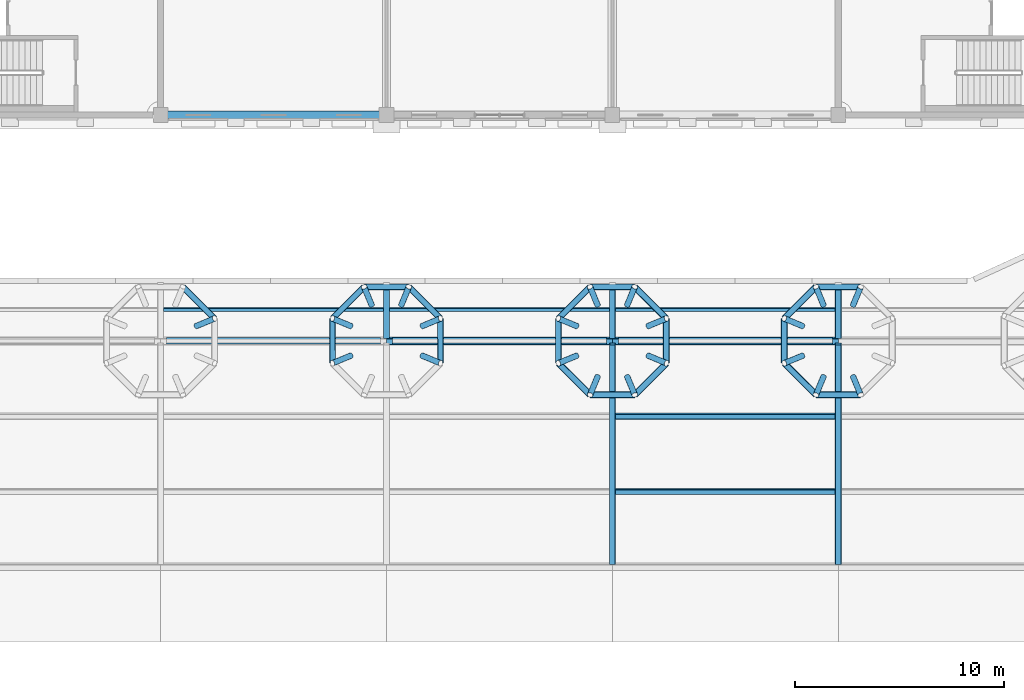
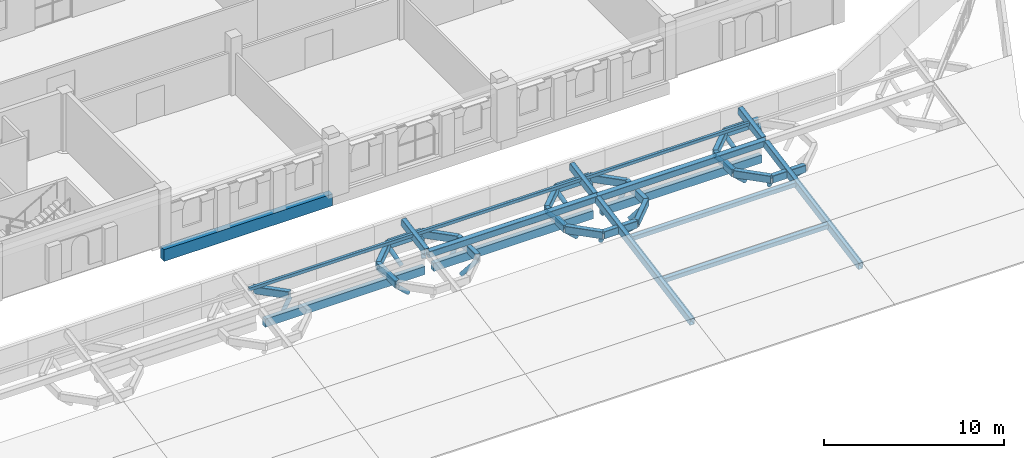
# One storey, part 4 of 32: 35 beams, 21 members.
"""IFC4 building model written with IfcOpenShell, lengths in metres."""

from ifc_helpers import new_model, si_unit, direction, frame, origin, origin_2d, place, context, subcontext, project, spatial, rectangle, hollow_rectangle, hollow_circle, extrude, clip, halfspace, material, material_profile, profile_set, type_object, element, save


model = new_model("IFC4")

# Units and contexts
model_context = context("Model", 3, precision=1e-05, world=origin(), true_north=direction((0.0, 1.0)))
body_context = subcontext(model_context, "Body", "Model", "MODEL_VIEW")
ifc_project = project(units=[si_unit("LENGTHUNIT", "METRE"), si_unit("AREAUNIT", "SQUARE_METRE"), si_unit("VOLUMEUNIT", "CUBIC_METRE"), si_unit("PLANEANGLEUNIT", "RADIAN"), si_unit("MASSUNIT", "GRAM", prefix="KILO")], contexts=[model_context])

# Site, building, storey
site_placement = place(None, origin())
site = spatial("IfcSite", under=ifc_project, at=site_placement, CompositionType="ELEMENT")
building_placement = place(site_placement, origin())
building = spatial("IfcBuilding", under=site, at=building_placement, Name="Magnolia Steps Interchange", CompositionType="ELEMENT")
storey_placement = place(building_placement, frame((0.0, 0.0, 16.5)))
storey = spatial("IfcBuildingStorey", under=building, at=storey_placement, Name="L04", CompositionType="ELEMENT", Elevation=16.5)

# Beams
ifc_material_1 = material(Name="Concrete C40", Category="concrete")
ifc_material_profile_1 = material_profile(ifc_material_1, rectangle(XDim=0.300048828125, YDim=0.550048828125, at=origin_2d()), Name="RC300x550")
ifc_profile_set_1 = profile_set([ifc_material_profile_1], Name="Concrete C40")
beam_type_1 = type_object("IfcBeamType", Name="Hall header sill beam 300x550", PredefinedType="BEAM", material=ifc_profile_set_1)
beam_1_placement = place(storey_placement, frame((75.080078125, 85.60009765625, 1.126220703125), z_axis=(1.0, 0.0, 0.0), x_axis=(0.0, 1.0, 0.0)))
element("IfcBeam", 1, at=beam_1_placement, inside=storey, type_object=beam_type_1, Name="Hall header sill beam N3", PredefinedType="BEAM", context=body_context, shape_type="SweptSolid", body=[
    extrude(rectangle(XDim=0.300048828125, YDim=0.550048828125, at=origin_2d()), origin(), (0.0, 0.0, 1.0), 10.239990234375),
])
beam_2_placement = place(storey_placement, frame((85.8798828125, 85.60009765625, 1.126220703125), z_axis=(1.0, 0.0, 0.0), x_axis=(0.0, 1.0, 0.0)))
element("IfcBeam", 2, at=beam_2_placement, inside=storey, type_object=beam_type_1, Name="Hall header sill beam N4", PredefinedType="BEAM", context=body_context, shape_type="SweptSolid", body=[
    extrude(rectangle(XDim=0.300048828125, YDim=0.550048828125, at=origin_2d()), origin(), (0.0, 0.0, 1.0), 10.240234375),
])
beam_3_placement = place(storey_placement, frame((96.679931640625, 85.60009765625, 1.126220703125), z_axis=(1.0, 0.0, 0.0), x_axis=(0.0, 1.0, 0.0)))
element("IfcBeam", 3, at=beam_3_placement, inside=storey, type_object=beam_type_1, Name="Hall header sill beam N5", PredefinedType="BEAM", context=body_context, shape_type="SweptSolid", body=[
    extrude(rectangle(XDim=0.300048828125, YDim=0.550048828125, at=origin_2d()), origin(), (0.0, 0.0, 1.0), 10.239990234375),
])
ifc_material_2 = material(Name="Concrete C40", Category="concrete")
ifc_material_profile_2 = material_profile(ifc_material_2, rectangle(XDim=0.39990234375, YDim=0.800048828125, at=origin_2d()), Name="RC400x800")
ifc_profile_set_2 = profile_set([ifc_material_profile_2], Name="Concrete C40")
beam_type_2 = type_object("IfcBeamType", Name="RC beam 400x800", PredefinedType="BEAM", material=ifc_profile_set_2)
beam_4_placement = place(storey_placement, frame((74.800048828125, 96.39990234375, -0.699951171875), z_axis=(1.0, 0.0, 0.0), x_axis=(0.0, 1.0, 0.0)))
element("IfcBeam", 4, at=beam_4_placement, inside=storey, type_object=beam_type_2, Name="Beam L04 I 7-8", PredefinedType="BEAM", context=body_context, shape_type="SweptSolid", body=[
    extrude(rectangle(XDim=0.39990234375, YDim=0.800048828125, at=origin_2d()), origin(), (0.0, 0.0, 1.0), 10.800048828125),
])
ifc_material_3 = material(Name="Steel Q355B", Category="steel")
ifc_material_profile_3 = material_profile(ifc_material_3, hollow_rectangle(XDim=0.300048828125, YDim=0.5, WallThickness=0.01611328125, InnerFilletRadius=0.01611328125, OuterFilletRadius=0.031982421875, at=origin_2d()), Name="RHS500x300x16")
ifc_profile_set_3 = profile_set([ifc_material_profile_3], Name="Steel Q355B")
beam_type_3 = type_object("IfcBeamType", Name="Ring beam RHS500x300x16", PredefinedType="BEAM", material=ifc_profile_set_3)
for number, where, z_axis, x_axis, name in (
    (5, (77.3798828125, 86.668701171875, 1.55126953125), (-0.707106781187, 0.707106781187, 0.0), (-0.707106781187, -0.707106781187, 0.0), "Ring beam TH03E"),
    (6, (88.179931640625, 86.668701171875, 1.55126953125), (-0.707106781187, 0.707106781187, 0.0), (-0.707106781187, -0.707106781187, 0.0), "Ring beam TH04E"),
):
    element("IfcBeam", number, at=place(storey_placement, frame(where, z_axis=z_axis, x_axis=x_axis)), inside=storey, type_object=beam_type_3, Name=name, PredefinedType="BEAM", context=body_context, shape_type="Clipping", body=[
        clip(clip(extrude(hollow_rectangle(XDim=0.300048828125, YDim=0.5, WallThickness=0.01611328125, InnerFilletRadius=0.01611328125, OuterFilletRadius=0.031982421875, at=origin_2d()), origin(), (0.0, 0.0, 1.0), 2.13720703125), halfspace(frame((0.0, 0.0, 0.0), z_axis=(0.382683433, 0.0, -0.923879532), x_axis=(0.923879532, 0.0, 0.382683433)), False)), halfspace(frame((0.0, 0.0, 2.137202625), z_axis=(0.382683433, 0.0, 0.923879532), x_axis=(0.923879532, 0.0, -0.382683433)), False)),
    ])
beam_5_placement = place(storey_placement, frame((86.668701171875, 88.179931640625, 1.55126953125), z_axis=(-1.0, 0.0, 0.0), x_axis=(0.0, -1.0, 0.0)))
element("IfcBeam", 7, at=beam_5_placement, inside=storey, type_object=beam_type_3, Name="Ring beam TH04E", PredefinedType="BEAM", context=body_context, shape_type="Clipping", body=[
    clip(clip(extrude(hollow_rectangle(XDim=0.300048828125, YDim=0.5, WallThickness=0.01611328125, InnerFilletRadius=0.01611328125, OuterFilletRadius=0.031982421875, at=origin_2d()), origin(), (0.0, 0.0, 1.0), 2.137451171875), halfspace(frame((0.0, 0.0, 0.0), z_axis=(0.382683432, 0.0, -0.923879533), x_axis=(0.923879533, 0.0, 0.382683432)), False)), halfspace(frame((0.0, 0.0, 2.137451172), z_axis=(0.382683432, 0.0, 0.923879533), x_axis=(0.923879533, 0.0, -0.382683432)), False)),
])
beam_6_placement = place(storey_placement, frame((84.53125, 88.179931640625, 1.55126953125), z_axis=(-0.707106781187, -0.707106781187, 0.0), x_axis=(0.707106781187, -0.707106781187, 0.0)))
element("IfcBeam", 8, at=beam_6_placement, inside=storey, type_object=beam_type_3, Name="Ring beam TH04E", PredefinedType="BEAM", context=body_context, shape_type="Clipping", body=[
    clip(clip(extrude(hollow_rectangle(XDim=0.300048828125, YDim=0.5, WallThickness=0.01611328125, InnerFilletRadius=0.01611328125, OuterFilletRadius=0.031982421875, at=origin_2d()), origin(), (0.0, 0.0, 1.0), 2.13720703125), halfspace(frame((0.0, 0.0, 0.0), z_axis=(0.382683433, 0.0, -0.923879532), x_axis=(0.923879532, 0.0, 0.382683433)), False)), halfspace(frame((0.0, 0.0, 2.137202625), z_axis=(0.382683433, 0.0, 0.923879532), x_axis=(0.923879532, 0.0, -0.382683433)), False)),
])
for number, where, z_axis, x_axis, name in (
    (9, (83.02001953125, 86.668701171875, 1.55126953125), (0.0, -1.0, 0.0), (1.0, 0.0, 0.0), "Ring beam TH04E"),
    (10, (88.179931640625, 84.53125, 1.55126953125), (0.0, 1.0, 0.0), (-1.0, 0.0, 0.0), "Ring beam TH04E"),
):
    element("IfcBeam", number, at=place(storey_placement, frame(where, z_axis=z_axis, x_axis=x_axis)), inside=storey, type_object=beam_type_3, Name=name, PredefinedType="BEAM", context=body_context, shape_type="Clipping", body=[
        clip(clip(extrude(hollow_rectangle(XDim=0.300048828125, YDim=0.5, WallThickness=0.01611328125, InnerFilletRadius=0.01611328125, OuterFilletRadius=0.031982421875, at=origin_2d()), origin(), (0.0, 0.0, 1.0), 2.137451171875), halfspace(frame((0.0, 0.0, 0.0), z_axis=(0.382683432, 0.0, -0.923879533), x_axis=(0.923879533, 0.0, 0.382683432)), False)), halfspace(frame((0.0, 0.0, 2.137451172), z_axis=(0.382683432, 0.0, 0.923879533), x_axis=(0.923879533, 0.0, -0.382683432)), False)),
    ])
beam_7_placement = place(storey_placement, frame((98.97998046875, 86.668701171875, 1.55126953125), z_axis=(-0.707106781187, 0.707106781187, 0.0), x_axis=(-0.707106781187, -0.707106781187, 0.0)))
element("IfcBeam", 11, at=beam_7_placement, inside=storey, type_object=beam_type_3, Name="Ring beam TH05E", PredefinedType="BEAM", context=body_context, shape_type="Clipping", body=[
    clip(clip(extrude(hollow_rectangle(XDim=0.300048828125, YDim=0.5, WallThickness=0.01611328125, InnerFilletRadius=0.01611328125, OuterFilletRadius=0.031982421875, at=origin_2d()), origin(), (0.0, 0.0, 1.0), 2.13720703125), halfspace(frame((0.0, 0.0, 0.0), z_axis=(0.382683433, 0.0, -0.923879532), x_axis=(0.923879532, 0.0, 0.382683433)), False)), halfspace(frame((0.0, 0.0, 2.137202625), z_axis=(0.382683433, 0.0, 0.923879532), x_axis=(0.923879532, 0.0, -0.382683433)), False)),
])
beam_8_placement = place(storey_placement, frame((97.46875, 88.179931640625, 1.55126953125), z_axis=(-1.0, 0.0, 0.0), x_axis=(0.0, -1.0, 0.0)))
element("IfcBeam", 12, at=beam_8_placement, inside=storey, type_object=beam_type_3, Name="Ring beam TH05E", PredefinedType="BEAM", context=body_context, shape_type="Clipping", body=[
    clip(clip(extrude(hollow_rectangle(XDim=0.300048828125, YDim=0.5, WallThickness=0.01611328125, InnerFilletRadius=0.01611328125, OuterFilletRadius=0.031982421875, at=origin_2d()), origin(), (0.0, 0.0, 1.0), 2.137451171875), halfspace(frame((0.0, 0.0, 0.0), z_axis=(0.382683432, 0.0, -0.923879533), x_axis=(0.923879533, 0.0, 0.382683432)), False)), halfspace(frame((0.0, 0.0, 2.137451172), z_axis=(0.382683432, 0.0, 0.923879533), x_axis=(0.923879533, 0.0, -0.382683432)), False)),
])
beam_9_placement = place(storey_placement, frame((95.331298828125, 88.179931640625, 1.55126953125), z_axis=(-0.707106781187, -0.707106781187, 0.0), x_axis=(0.707106781187, -0.707106781187, 0.0)))
element("IfcBeam", 13, at=beam_9_placement, inside=storey, type_object=beam_type_3, Name="Ring beam TH05E", PredefinedType="BEAM", context=body_context, shape_type="Clipping", body=[
    clip(clip(extrude(hollow_rectangle(XDim=0.300048828125, YDim=0.5, WallThickness=0.01611328125, InnerFilletRadius=0.01611328125, OuterFilletRadius=0.031982421875, at=origin_2d()), origin(), (0.0, 0.0, 1.0), 2.13720703125), halfspace(frame((0.0, 0.0, 0.0), z_axis=(0.382683433, 0.0, -0.923879532), x_axis=(0.923879532, 0.0, 0.382683433)), False)), halfspace(frame((0.0, 0.0, 2.137202625), z_axis=(0.382683433, 0.0, 0.923879532), x_axis=(0.923879532, 0.0, -0.382683433)), False)),
])
beam_10_placement = place(storey_placement, frame((93.820068359375, 86.668701171875, 1.55126953125), z_axis=(0.0, -1.0, 0.0), x_axis=(1.0, 0.0, 0.0)))
element("IfcBeam", 14, at=beam_10_placement, inside=storey, type_object=beam_type_3, Name="Ring beam TH05E", PredefinedType="BEAM", context=body_context, shape_type="Clipping", body=[
    clip(clip(extrude(hollow_rectangle(XDim=0.300048828125, YDim=0.5, WallThickness=0.01611328125, InnerFilletRadius=0.01611328125, OuterFilletRadius=0.031982421875, at=origin_2d()), origin(), (0.0, 0.0, 1.0), 2.137451171875), halfspace(frame((0.0, 0.0, 0.0), z_axis=(0.382683432, 0.0, -0.923879533), x_axis=(0.923879533, 0.0, 0.382683432)), False)), halfspace(frame((0.0, 0.0, 2.137451172), z_axis=(0.382683432, 0.0, 0.923879533), x_axis=(0.923879533, 0.0, -0.382683432)), False)),
])
beam_11_placement = place(storey_placement, frame((93.820068359375, 84.53125, 1.55126953125), z_axis=(0.707106781187, -0.707106781187, 0.0), x_axis=(0.707106781187, 0.707106781187, 0.0)))
element("IfcBeam", 15, at=beam_11_placement, inside=storey, type_object=beam_type_3, Name="Ring beam TH05E", PredefinedType="BEAM", context=body_context, shape_type="Clipping", body=[
    clip(clip(extrude(hollow_rectangle(XDim=0.300048828125, YDim=0.5, WallThickness=0.01611328125, InnerFilletRadius=0.01611328125, OuterFilletRadius=0.031982421875, at=origin_2d()), origin(), (0.0, 0.0, 1.0), 2.13720703125), halfspace(frame((0.0, 0.0, 0.0), z_axis=(0.382683433, 0.0, -0.923879532), x_axis=(0.923879532, 0.0, 0.382683433)), False)), halfspace(frame((0.0, 0.0, 2.137202625), z_axis=(0.382683433, 0.0, 0.923879532), x_axis=(0.923879532, 0.0, -0.382683433)), False)),
])
beam_12_placement = place(storey_placement, frame((95.331298828125, 83.02001953125, 1.55126953125), z_axis=(1.0, 0.0, 0.0), x_axis=(0.0, 1.0, 0.0)))
element("IfcBeam", 16, at=beam_12_placement, inside=storey, type_object=beam_type_3, Name="Ring beam TH05E", PredefinedType="BEAM", context=body_context, shape_type="Clipping", body=[
    clip(clip(extrude(hollow_rectangle(XDim=0.300048828125, YDim=0.5, WallThickness=0.01611328125, InnerFilletRadius=0.01611328125, OuterFilletRadius=0.031982421875, at=origin_2d()), origin(), (0.0, 0.0, 1.0), 2.137451171875), halfspace(frame((0.0, 0.0, 0.0), z_axis=(0.382683432, 0.0, -0.923879533), x_axis=(0.923879533, 0.0, 0.382683432)), False)), halfspace(frame((0.0, 0.0, 2.137451172), z_axis=(0.382683432, 0.0, 0.923879533), x_axis=(0.923879533, 0.0, -0.382683432)), False)),
])
beam_13_placement = place(storey_placement, frame((97.46875, 83.02001953125, 1.55126953125), z_axis=(0.707106781187, 0.707106781187, 0.0), x_axis=(-0.707106781187, 0.707106781187, 0.0)))
element("IfcBeam", 17, at=beam_13_placement, inside=storey, type_object=beam_type_3, Name="Ring beam TH05E", PredefinedType="BEAM", context=body_context, shape_type="Clipping", body=[
    clip(clip(extrude(hollow_rectangle(XDim=0.300048828125, YDim=0.5, WallThickness=0.01611328125, InnerFilletRadius=0.01611328125, OuterFilletRadius=0.031982421875, at=origin_2d()), origin(), (0.0, 0.0, 1.0), 2.13720703125), halfspace(frame((0.0, 0.0, 0.0), z_axis=(0.382683433, 0.0, -0.923879532), x_axis=(0.923879532, 0.0, 0.382683433)), False)), halfspace(frame((0.0, 0.0, 2.137202625), z_axis=(0.382683433, 0.0, 0.923879532), x_axis=(0.923879532, 0.0, -0.382683433)), False)),
])
for number, where, z_axis, x_axis, name in (
    (18, (98.97998046875, 84.53125, 1.55126953125), (0.0, 1.0, 0.0), (-1.0, 0.0, 0.0), "Ring beam TH05E"),
    (19, (108.268798828125, 88.179931640625, 1.55126953125), (-1.0, 0.0, 0.0), (0.0, -1.0, 0.0), "Ring beam TH06E"),
):
    element("IfcBeam", number, at=place(storey_placement, frame(where, z_axis=z_axis, x_axis=x_axis)), inside=storey, type_object=beam_type_3, Name=name, PredefinedType="BEAM", context=body_context, shape_type="Clipping", body=[
        clip(clip(extrude(hollow_rectangle(XDim=0.300048828125, YDim=0.5, WallThickness=0.01611328125, InnerFilletRadius=0.01611328125, OuterFilletRadius=0.031982421875, at=origin_2d()), origin(), (0.0, 0.0, 1.0), 2.137451171875), halfspace(frame((0.0, 0.0, 0.0), z_axis=(0.382683432, 0.0, -0.923879533), x_axis=(0.923879533, 0.0, 0.382683432)), False)), halfspace(frame((0.0, 0.0, 2.137451172), z_axis=(0.382683432, 0.0, 0.923879533), x_axis=(0.923879533, 0.0, -0.382683432)), False)),
    ])
beam_14_placement = place(storey_placement, frame((106.13134765625, 88.179931640625, 1.55126953125), z_axis=(-0.707106781187, -0.707106781187, 0.0), x_axis=(0.707106781187, -0.707106781187, 0.0)))
element("IfcBeam", 20, at=beam_14_placement, inside=storey, type_object=beam_type_3, Name="Ring beam TH06E", PredefinedType="BEAM", context=body_context, shape_type="Clipping", body=[
    clip(clip(extrude(hollow_rectangle(XDim=0.300048828125, YDim=0.5, WallThickness=0.01611328125, InnerFilletRadius=0.01611328125, OuterFilletRadius=0.031982421875, at=origin_2d()), origin(), (0.0, 0.0, 1.0), 2.13720703125), halfspace(frame((0.0, 0.0, 0.0), z_axis=(0.382683433, 0.0, -0.923879532), x_axis=(0.923879532, 0.0, 0.382683433)), False)), halfspace(frame((0.0, 0.0, 2.137202625), z_axis=(0.382683433, 0.0, 0.923879532), x_axis=(0.923879532, 0.0, -0.382683433)), False)),
])
beam_15_placement = place(storey_placement, frame((104.6201171875, 86.668701171875, 1.55126953125), z_axis=(0.0, -1.0, 0.0), x_axis=(1.0, 0.0, 0.0)))
element("IfcBeam", 21, at=beam_15_placement, inside=storey, type_object=beam_type_3, Name="Ring beam TH06E", PredefinedType="BEAM", context=body_context, shape_type="Clipping", body=[
    clip(clip(extrude(hollow_rectangle(XDim=0.300048828125, YDim=0.5, WallThickness=0.01611328125, InnerFilletRadius=0.01611328125, OuterFilletRadius=0.031982421875, at=origin_2d()), origin(), (0.0, 0.0, 1.0), 2.137451171875), halfspace(frame((0.0, 0.0, 0.0), z_axis=(0.382683432, 0.0, -0.923879533), x_axis=(0.923879533, 0.0, 0.382683432)), False)), halfspace(frame((0.0, 0.0, 2.137451172), z_axis=(0.382683432, 0.0, 0.923879533), x_axis=(0.923879533, 0.0, -0.382683432)), False)),
])
beam_16_placement = place(storey_placement, frame((104.6201171875, 84.53125, 1.55126953125), z_axis=(0.707106781187, -0.707106781187, 0.0), x_axis=(0.707106781187, 0.707106781187, 0.0)))
element("IfcBeam", 22, at=beam_16_placement, inside=storey, type_object=beam_type_3, Name="Ring beam TH06E", PredefinedType="BEAM", context=body_context, shape_type="Clipping", body=[
    clip(clip(extrude(hollow_rectangle(XDim=0.300048828125, YDim=0.5, WallThickness=0.01611328125, InnerFilletRadius=0.01611328125, OuterFilletRadius=0.031982421875, at=origin_2d()), origin(), (0.0, 0.0, 1.0), 2.13720703125), halfspace(frame((0.0, 0.0, 0.0), z_axis=(0.382683433, 0.0, -0.923879532), x_axis=(0.923879532, 0.0, 0.382683433)), False)), halfspace(frame((0.0, 0.0, 2.137202625), z_axis=(0.382683433, 0.0, 0.923879532), x_axis=(0.923879532, 0.0, -0.382683433)), False)),
])
beam_17_placement = place(storey_placement, frame((106.13134765625, 83.02001953125, 1.55126953125), z_axis=(1.0, 0.0, 0.0), x_axis=(0.0, 1.0, 0.0)))
element("IfcBeam", 23, at=beam_17_placement, inside=storey, type_object=beam_type_3, Name="Ring beam TH06E", PredefinedType="BEAM", context=body_context, shape_type="Clipping", body=[
    clip(clip(extrude(hollow_rectangle(XDim=0.300048828125, YDim=0.5, WallThickness=0.01611328125, InnerFilletRadius=0.01611328125, OuterFilletRadius=0.031982421875, at=origin_2d()), origin(), (0.0, 0.0, 1.0), 2.137451171875), halfspace(frame((0.0, 0.0, 0.0), z_axis=(0.382683432, 0.0, -0.923879533), x_axis=(0.923879533, 0.0, 0.382683432)), False)), halfspace(frame((0.0, 0.0, 2.137451172), z_axis=(0.382683432, 0.0, 0.923879533), x_axis=(0.923879533, 0.0, -0.382683432)), False)),
])
ifc_material_4 = material(Name="Steel Q355B", Category="steel")
ifc_material_profile_4 = material_profile(ifc_material_4, hollow_rectangle(XDim=0.300048828125, YDim=0.5, WallThickness=0.01611328125, InnerFilletRadius=0.01611328125, OuterFilletRadius=0.031982421875, at=origin_2d()), Name="RHS500x300x16")
ifc_profile_set_4 = profile_set([ifc_material_profile_4], Name="Steel Q355B")
beam_type_4 = type_object("IfcBeamType", Name="Roof beam RHS500x300x16", PredefinedType="BEAM", material=ifc_profile_set_4)
beam_18_placement = place(storey_placement, frame((85.60009765625, 85.60009765625, 2.095458984375), z_axis=(1.0, 0.0, 0.0), x_axis=(0.0, 0.98367737698, 0.17994115154)))
element("IfcBeam", 24, at=beam_18_placement, inside=storey, type_object=beam_type_4, Name="Roof beam", PredefinedType="BEAM", context=body_context, shape_type="SweptSolid", body=[
    extrude(hollow_rectangle(XDim=0.300048828125, YDim=0.5, WallThickness=0.01611328125, InnerFilletRadius=0.01611328125, OuterFilletRadius=0.031982421875, at=origin_2d()), origin(), (0.0, 0.0, 1.0), 10.7998046875),
])
beam_19_placement = place(storey_placement, frame((96.39990234375, 85.60009765625, 2.095458984375), z_axis=(1.0, 0.0, 0.0), x_axis=(0.0, 0.98367737698, 0.17994115154)))
element("IfcBeam", 25, at=beam_19_placement, inside=storey, type_object=beam_type_4, Name="Roof beam", PredefinedType="BEAM", context=body_context, shape_type="SweptSolid", body=[
    extrude(hollow_rectangle(XDim=0.300048828125, YDim=0.5, WallThickness=0.01611328125, InnerFilletRadius=0.01611328125, OuterFilletRadius=0.031982421875, at=origin_2d()), origin(), (0.0, 0.0, 1.0), 10.800048828125),
])
beam_20_placement = place(storey_placement, frame((85.60009765625, 85.75, 2.122802734375), z_axis=(0.0, 0.983672002348, 0.179970530357), x_axis=(-1.0, 0.0, 0.0)))
element("IfcBeam", 26, at=beam_20_placement, inside=storey, type_object=beam_type_4, Name="Roof beam", PredefinedType="BEAM", context=body_context, shape_type="SweptSolid", body=[
    extrude(hollow_rectangle(XDim=0.300048828125, YDim=0.5, WallThickness=0.01611328125, InnerFilletRadius=0.01611328125, OuterFilletRadius=0.031982421875, at=origin_2d()), origin(), (0.0, 0.0, 1.0), 2.633056640625),
])
beam_21_placement = place(storey_placement, frame((96.39990234375, 74.949951171875, 0.147216796875), z_axis=(0.0, 0.98367464182, 0.179956103093), x_axis=(-1.0, 0.0, 0.0)))
element("IfcBeam", 27, at=beam_21_placement, inside=storey, type_object=beam_type_4, Name="Roof beam", PredefinedType="BEAM", context=body_context, shape_type="SweptSolid", body=[
    extrude(hollow_rectangle(XDim=0.300048828125, YDim=0.5, WallThickness=0.01611328125, InnerFilletRadius=0.01611328125, OuterFilletRadius=0.031982421875, at=origin_2d()), origin(), (0.0, 0.0, 1.0), 10.67431640625),
])
beam_22_placement = place(storey_placement, frame((96.39990234375, 85.75, 2.122802734375), z_axis=(0.0, 0.983672002348, 0.179970530357), x_axis=(-1.0, 0.0, 0.0)))
element("IfcBeam", 28, at=beam_22_placement, inside=storey, type_object=beam_type_4, Name="Roof beam", PredefinedType="BEAM", context=body_context, shape_type="SweptSolid", body=[
    extrude(hollow_rectangle(XDim=0.300048828125, YDim=0.5, WallThickness=0.01611328125, InnerFilletRadius=0.01611328125, OuterFilletRadius=0.031982421875, at=origin_2d()), origin(), (0.0, 0.0, 1.0), 2.633056640625),
])
beam_23_placement = place(storey_placement, frame((107.199951171875, 74.949951171875, 0.147216796875), z_axis=(0.0, 0.98367464182, 0.179956103093), x_axis=(-1.0, 0.0, 0.0)))
element("IfcBeam", 29, at=beam_23_placement, inside=storey, type_object=beam_type_4, Name="Roof beam", PredefinedType="BEAM", context=body_context, shape_type="SweptSolid", body=[
    extrude(hollow_rectangle(XDim=0.300048828125, YDim=0.5, WallThickness=0.01611328125, InnerFilletRadius=0.01611328125, OuterFilletRadius=0.031982421875, at=origin_2d()), origin(), (0.0, 0.0, 1.0), 10.67431640625),
])
beam_24_placement = place(storey_placement, frame((107.199951171875, 85.75, 2.122802734375), z_axis=(0.0, 0.983672002348, 0.179970530357), x_axis=(-1.0, 0.0, 0.0)))
element("IfcBeam", 30, at=beam_24_placement, inside=storey, type_object=beam_type_4, Name="Roof beam", PredefinedType="BEAM", context=body_context, shape_type="SweptSolid", body=[
    extrude(hollow_rectangle(XDim=0.300048828125, YDim=0.5, WallThickness=0.01611328125, InnerFilletRadius=0.01611328125, OuterFilletRadius=0.031982421875, at=origin_2d()), origin(), (0.0, 0.0, 1.0), 2.633056640625),
])
ifc_material_5 = material(Name="Steel Q355B", Category="steel")
ifc_material_profile_5 = material_profile(ifc_material_5, hollow_rectangle(XDim=0.14990234375, YDim=0.25, WallThickness=0.008056640625, InnerFilletRadius=0.008056640625, OuterFilletRadius=0.01611328125, at=origin_2d()), Name="RHS250x150x8")
ifc_profile_set_5 = profile_set([ifc_material_profile_5], Name="Steel Q355B")
beam_type_5 = type_object("IfcBeamType", Name="Roof edge joist RHS250x150x8", PredefinedType="BEAM", material=ifc_profile_set_5)
for number, where, z_axis, x_axis, name in (
    (31, (74.949951171875, 87.10009765625, 2.496826171875), (1.0, 0.0, 0.0), (0.0, 0.98367737698, 0.17994115154), "Roof edge joist"),
    (32, (85.75, 87.10009765625, 2.496826171875), (1.0, 0.0, 0.0), (0.0, 0.98367737698, 0.17994115154), "Roof edge joist"),
    (33, (96.550048828125, 87.10009765625, 2.496826171875), (1.0, 0.0, 0.0), (0.0, 0.98367737698, 0.17994115154), "Roof edge joist"),
):
    element("IfcBeam", number, at=place(storey_placement, frame(where, z_axis=z_axis, x_axis=x_axis)), inside=storey, type_object=beam_type_5, Name=name, PredefinedType="BEAM", context=body_context, shape_type="SweptSolid", body=[
        extrude(hollow_rectangle(XDim=0.14990234375, YDim=0.25, WallThickness=0.008056640625, InnerFilletRadius=0.008056640625, OuterFilletRadius=0.01611328125, at=origin_2d()), origin(), (0.0, 0.0, 1.0), 10.5),
    ])
ifc_material_6 = material(Name="Steel Q355B", Category="steel")
ifc_material_profile_6 = material_profile(ifc_material_6, hollow_rectangle(XDim=0.25, YDim=0.35009765625, WallThickness=0.011962890625, InnerFilletRadius=0.011962890625, OuterFilletRadius=0.02392578125, at=origin_2d()), Name="RHS350x250x12")
ifc_profile_set_6 = profile_set([ifc_material_profile_6], Name="Steel Q355B")
beam_type_6 = type_object("IfcBeamType", Name="Roof joist RHS350x250x12", PredefinedType="BEAM", material=ifc_profile_set_6)
for number, where, z_axis, x_axis, name in (
    (34, (96.550048828125, 78.39990234375, 0.8544921875), (1.0, 0.0, 0.0), (0.0, 0.98367737698, 0.17994115154), "Roof joist"),
    (35, (96.550048828125, 82.0, 1.51318359375), (1.0, 0.0, 0.0), (0.0, 0.98367737698, 0.17994115154), "Roof joist"),
):
    element("IfcBeam", number, at=place(storey_placement, frame(where, z_axis=z_axis, x_axis=x_axis)), inside=storey, type_object=beam_type_6, Name=name, PredefinedType="BEAM", context=body_context, shape_type="SweptSolid", body=[
        extrude(hollow_rectangle(XDim=0.25, YDim=0.35009765625, WallThickness=0.011962890625, InnerFilletRadius=0.011962890625, OuterFilletRadius=0.02392578125, at=origin_2d()), origin(), (0.0, 0.0, 1.0), 10.5),
    ])

# Members
ifc_material_7 = material(Name="Steel Q355B", Category="steel")
ifc_material_profile_7 = material_profile(ifc_material_7, hollow_circle(Radius=0.136474609375, WallThickness=0.013916015625, at=origin_2d()), Name="CHS273x14")
ifc_profile_set_7 = profile_set([ifc_material_profile_7], Name="Steel Q355B")
member_type = type_object("IfcMemberType", Name="Tree rib CHS273x14", PredefinedType="USERDEFINED", material=ifc_profile_set_7)
for number, where, z_axis, x_axis, name in (
    (36, (76.505126953125, 86.306396484375, 0.48681640625), (0.664600057379, 0.275262764485, 0.694648957546), (-0.382655437784, 0.92389112775, 0.0), "Tree rib TH03E"),
    (37, (87.30517578125, 86.306396484375, 0.48681640625), (0.664600057379, 0.275262764485, 0.694648957546), (-0.382655437784, 0.92389112775, 0.0), "Tree rib TH04E"),
    (38, (86.306396484375, 87.30517578125, 0.48681640625), (0.275262764485, 0.664600057379, 0.694648957546), (-0.92389112775, 0.382655437784, 0.0), "Tree rib TH04E"),
    (39, (84.893798828125, 87.30517578125, 0.48681640625), (-0.275434184115, 0.664566115613, 0.694613481153), (-0.923799950879, -0.382875502946, 0.0), "Tree rib TH04E"),
    (40, (83.894775390625, 86.306396484375, 0.48681640625), (-0.664600057379, 0.275262764485, 0.694648957546), (-0.382655437784, -0.92389112775, 0.0), "Tree rib TH04E"),
    (41, (83.894775390625, 84.893798828125, 0.48681640625), (-0.664566115613, -0.275434184115, 0.694613481153), (0.382875502946, -0.923799950879, 0.0), "Tree rib TH04E"),
    (42, (87.30517578125, 84.893798828125, 0.48681640625), (0.664566115613, -0.275434184115, 0.694613481153), (0.382875502946, 0.923799950879, 0.0), "Tree rib TH04E"),
    (43, (98.105224609375, 86.306396484375, 0.48681640625), (0.664600057379, 0.275262764485, 0.694648957546), (-0.382655437784, 0.92389112775, 0.0), "Tree rib TH05E"),
    (44, (97.106201171875, 87.30517578125, 0.48681640625), (0.275434184115, 0.664566115613, 0.694613481153), (-0.923799950879, 0.382875502946, 0.0), "Tree rib TH05E"),
    (45, (95.693603515625, 87.30517578125, 0.48681640625), (-0.275262764485, 0.664600057379, 0.694648957546), (-0.92389112775, -0.382655437784, 0.0), "Tree rib TH05E"),
    (46, (94.69482421875, 86.306396484375, 0.48681640625), (-0.664600057379, 0.275262764485, 0.694648957546), (-0.382655437784, -0.92389112775, 0.0), "Tree rib TH05E"),
    (47, (94.69482421875, 84.893798828125, 0.48681640625), (-0.664566115613, -0.275434184115, 0.694613481153), (0.382875502946, -0.923799950879, 0.0), "Tree rib TH05E"),
    (48, (95.693603515625, 83.894775390625, 0.48681640625), (-0.275262764485, -0.664600057379, 0.694648957546), (0.92389112775, -0.382655437784, 0.0), "Tree rib TH05E"),
    (49, (97.106201171875, 83.894775390625, 0.48681640625), (0.275434184115, -0.664566115613, 0.694613481153), (0.923799950879, 0.382875502946, 0.0), "Tree rib TH05E"),
    (50, (98.105224609375, 84.893798828125, 0.48681640625), (0.664566115613, -0.275434184115, 0.694613481153), (0.382875502946, 0.923799950879, 0.0), "Tree rib TH05E"),
    (51, (107.90625, 87.30517578125, 0.48681640625), (0.275434184115, 0.664566115613, 0.694613481153), (-0.923799950879, 0.382875502946, 0.0), "Tree rib TH06E"),
    (52, (106.49365234375, 87.30517578125, 0.48681640625), (-0.275262764485, 0.664600057379, 0.694648957546), (-0.92389112775, -0.382655437784, 0.0), "Tree rib TH06E"),
    (53, (105.494873046875, 86.306396484375, 0.48681640625), (-0.664600057379, 0.275262764485, 0.694648957546), (-0.382655437784, -0.92389112775, 0.0), "Tree rib TH06E"),
    (54, (105.494873046875, 84.893798828125, 0.48681640625), (-0.664566115613, -0.275434184115, 0.694613481153), (0.382875502946, -0.923799950879, 0.0), "Tree rib TH06E"),
    (55, (106.49365234375, 83.894775390625, 0.48681640625), (-0.275262764485, -0.664600057379, 0.694648957546), (0.92389112775, -0.382655437784, 0.0), "Tree rib TH06E"),
    (56, (107.90625, 83.894775390625, 0.48681640625), (0.275434184115, -0.664566115613, 0.694613481153), (0.923799950879, 0.382875502946, 0.0), "Tree rib TH06E"),
):
    element("IfcMember", number, at=place(storey_placement, frame(where, z_axis=z_axis, x_axis=x_axis)), inside=storey, type_object=member_type, Name=name, ObjectType="TREE RIB", PredefinedType="USERDEFINED", context=body_context, shape_type="SweptSolid", body=[
        extrude(hollow_circle(Radius=0.136474609375, WallThickness=0.013916015625, at=origin_2d()), origin(), (0.0, 0.0, 1.0), 1.316162109375),
    ])

save(model, "model.ifc")
